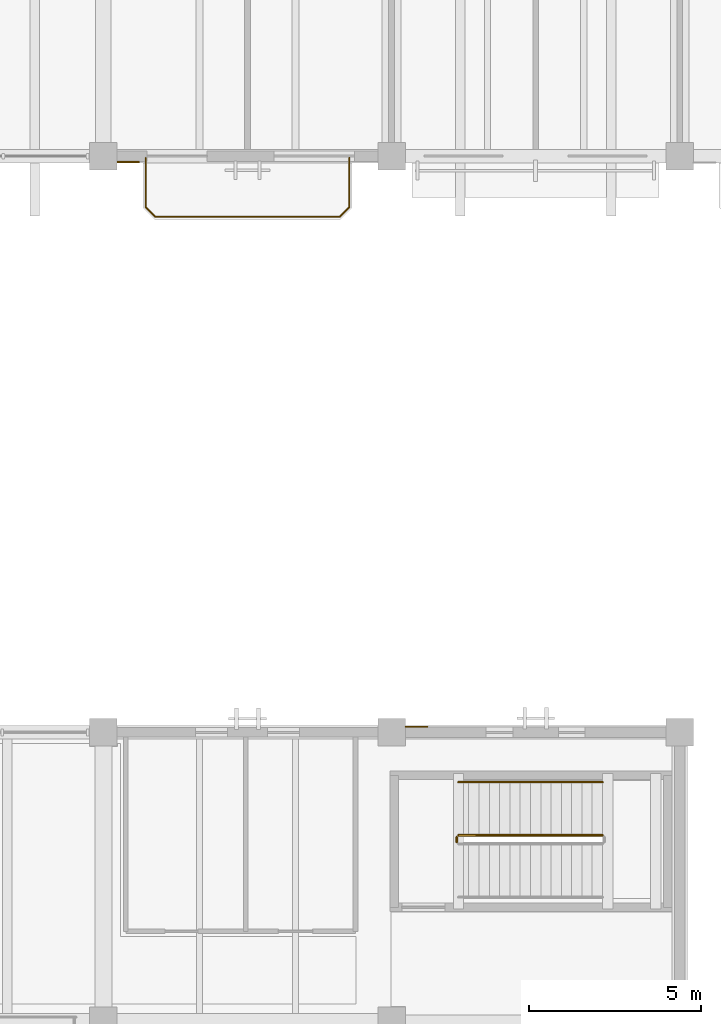
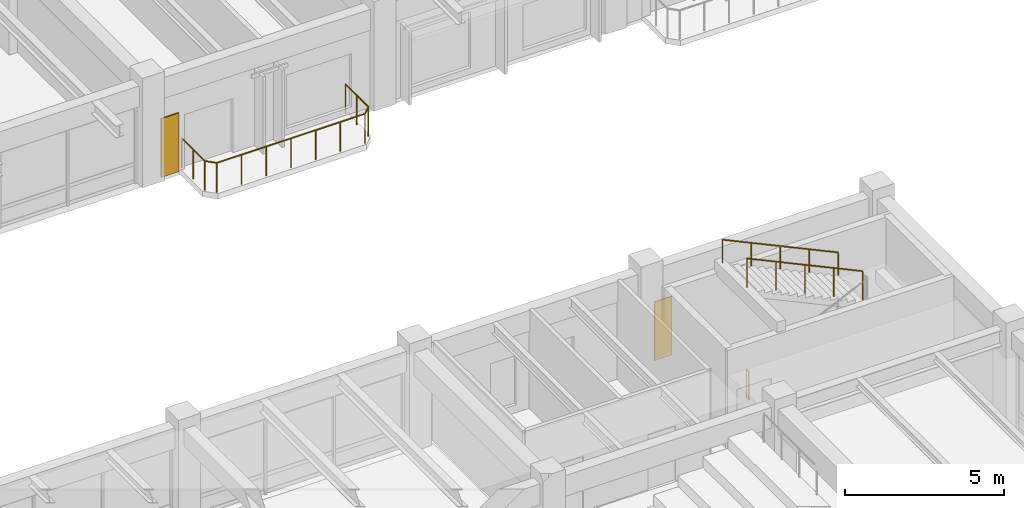
# One storey, part 114 of 132: 4 railings, 2 coverings.
"""IFC4 building model written with IfcOpenShell, lengths in metres."""

from ifc_helpers import new_model, si_unit, direction, frame, origin, origin_2d, place, context, subcontext, project, spatial, polyline, circle, outline, extrude, material, layer, layer_set, type_object, element, save


model = new_model("IFC4")

# Units and contexts
model_context = context("Model", 3, precision=1e-05, world=origin(), true_north=direction((0.0, 1.0)))
body_context = subcontext(model_context, "Body", "Model", "MODEL_VIEW")
ifc_project = project(units=[si_unit("LENGTHUNIT", "METRE"), si_unit("AREAUNIT", "SQUARE_METRE"), si_unit("VOLUMEUNIT", "CUBIC_METRE"), si_unit("PLANEANGLEUNIT", "RADIAN"), si_unit("MASSUNIT", "GRAM", prefix="KILO")], contexts=[model_context])

# Site, building, storey
site_placement = place(None, origin())
site = spatial("IfcSite", under=ifc_project, at=site_placement, CompositionType="ELEMENT")
building_placement = place(site_placement, origin())
building = spatial("IfcBuilding", under=site, at=building_placement, Name="Cumbredor Promenade Congress Hotel", CompositionType="ELEMENT")
storey_placement = place(building_placement, frame((0.0, 0.0, 7.56005859375)))
storey = spatial("IfcBuildingStorey", under=building, at=storey_placement, Name="L02", CompositionType="ELEMENT", Elevation=7.56005859375)

# Covering
ifc_material_1 = material(Name="Precast concrete C40/50", Category="concrete")
ifc_layer_1 = layer(ifc_material_1, 0.044921875, Name="Precast concrete C40/50", Category="concrete")
ifc_layer_set_1 = layer_set([ifc_layer_1], Name="Precast concrete C40/50")
covering_type_1 = type_object("IfcCoveringType", Name="Board-Formed Architectural Cladding Panel 45mm", PredefinedType="CLADDING", material=ifc_layer_set_1)
covering_1_placement = place(storey_placement, origin())
element("IfcCovering", 1, at=covering_1_placement, inside=storey, type_object=covering_type_1, Name="L02 Facade Stone Cladding Pier 122", PredefinedType="CLADDING", context=body_context, shape_type="SweptSolid", body=[
    extrude(outline(polyline([(50.801025390625, 83.85009765625), (51.450927734375, 83.85009765625), (51.450927734375, 83.804931640625), (50.801025390625, 83.804931640625), (50.801025390625, 83.85009765625)])), origin(), (0.0, 0.0, 1.0), 2.25),
])

# Railings
ifc_material_2 = material(Name="Brushed stainless steel", Category="steel")
railing_type_1 = type_object("IfcRailingType", Name="Interior Void & Stair Guardrail GR-1100", PredefinedType="GUARDRAIL", material=ifc_material_2)
railing_1_placement = place(storey_placement, frame((64.949951171875, 64.199951171875, 2.239990234375)))
element("IfcRailing", 2, at=railing_1_placement, inside=storey, type_object=railing_type_1, Name="L02 ST-07 stair guard 3", PredefinedType="GUARDRAIL", context=body_context, shape_type="SweptSolid", body=[
    extrude(circle(Radius=0.02392578125, at=origin_2d()), frame((0.0, 0.0, 1.09619140625), z_axis=(-0.906184485727, 0.0, 0.422882581609), x_axis=(0.0, -1.0, 0.0)), (0.0, 0.0, 1.0), 4.634765625),
    extrude(circle(Radius=0.02099609375, at=origin_2d()), origin(), (0.0, 0.0, 1.0), 1.072021484375),
    extrude(circle(Radius=0.02099609375, at=origin_2d()), frame((-1.050048828125, 0.0, 0.489990234375)), (0.0, 0.0, 1.0), 1.072021484375),
    extrude(circle(Radius=0.02099609375, at=origin_2d()), frame((-2.10009765625, 0.0, 0.97998046875)), (0.0, 0.0, 1.0), 1.072021484375),
    extrude(circle(Radius=0.02099609375, at=origin_2d()), frame((-3.14990234375, 0.0, 1.469970703125)), (0.0, 0.0, 1.0), 1.072021484375),
    extrude(circle(Radius=0.02099609375, at=origin_2d()), frame((-4.199951171875, 0.0, 1.9599609375)), (0.0, 0.0, 1.0), 1.072021484375),
])
railing_2_placement = place(storey_placement, frame((60.699951171875, 64.0, 0.0)))
element("IfcRailing", 3, at=railing_2_placement, inside=storey, type_object=railing_type_1, Name="L02 ST-07 stair guard 4", PredefinedType="GUARDRAIL", context=body_context, shape_type="SweptSolid", body=[
    extrude(circle(Radius=0.02392578125, at=origin_2d()), frame((0.0, 0.0, 1.09619140625), z_axis=(0.0, 1.0, 0.0), x_axis=(-1.0, 0.0, 0.0)), (0.0, 0.0, 1.0), 0.14990234375),
    extrude(circle(Radius=0.02099609375, at=origin_2d()), origin(), (0.0, 0.0, 1.0), 1.072021484375),
    extrude(circle(Radius=0.02099609375, at=origin_2d()), frame((0.0, 0.14990234375, 0.0)), (0.0, 0.0, 1.0), 1.072021484375),
])
railing_type_2 = type_object("IfcRailingType", Name="Sky Garden Glass-and-Steel Balustrade BAL-1150", PredefinedType="BALUSTRADE", material=ifc_material_2)
railing_3_placement = place(storey_placement, frame((51.6298828125, 83.949951171875, 0.0)))
element("IfcRailing", 4, at=railing_3_placement, inside=storey, type_object=railing_type_2, Name="L02 Veranda Balcony Balustrade 010", PredefinedType="BALUSTRADE", context=body_context, shape_type="SweptSolid", body=[
    extrude(circle(Radius=0.02392578125, at=origin_2d()), frame((0.0, 0.0, 1.1259765625), z_axis=(0.0, -1.0, 0.0), x_axis=(1.0, 0.0, 0.0)), (0.0, 0.0, 1.0), 1.43994140625),
    extrude(circle(Radius=0.02392578125, at=origin_2d()), frame((0.0, -1.43994140625, 1.1259765625), z_axis=(0.707106781187, -0.707106781187, 0.0), x_axis=(0.707106781187, 0.707106781187, 0.0)), (0.0, 0.0, 1.0), 0.39599609375),
    extrude(circle(Radius=0.02392578125, at=origin_2d()), frame((0.280029296875, -1.719970703125, 1.1259765625), z_axis=(1.0, 0.0, 0.0), x_axis=(0.0, 1.0, 0.0)), (0.0, 0.0, 1.0), 5.380126953125),
    extrude(circle(Radius=0.02392578125, at=origin_2d()), frame((5.66015625, -1.719970703125, 1.1259765625), z_axis=(0.707106781187, 0.707106781187, 0.0), x_axis=(-0.707106781187, 0.707106781187, 0.0)), (0.0, 0.0, 1.0), 0.39599609375),
    extrude(circle(Radius=0.02392578125, at=origin_2d()), frame((5.940185546875, -1.43994140625, 1.1259765625), z_axis=(0.0, 1.0, 0.0), x_axis=(-1.0, 0.0, 0.0)), (0.0, 0.0, 1.0), 1.43994140625),
    extrude(circle(Radius=0.02099609375, at=origin_2d()), origin(), (0.0, 0.0, 1.0), 1.101806640625),
    extrude(circle(Radius=0.02099609375, at=origin_2d()), frame((0.0, -0.719970703125, 0.0)), (0.0, 0.0, 1.0), 1.101806640625),
    extrude(circle(Radius=0.02099609375, at=origin_2d()), frame((0.0, -1.43994140625, 0.0)), (0.0, 0.0, 1.0), 1.101806640625),
    extrude(circle(Radius=0.02099609375, at=origin_2d()), frame((0.280029296875, -1.719970703125, 0.0)), (0.0, 0.0, 1.0), 1.101806640625),
    extrude(circle(Radius=0.02099609375, at=origin_2d()), frame((1.1767578125, -1.719970703125, 0.0)), (0.0, 0.0, 1.0), 1.101806640625),
    extrude(circle(Radius=0.02099609375, at=origin_2d()), frame((2.073486328125, -1.719970703125, 0.0)), (0.0, 0.0, 1.0), 1.101806640625),
    extrude(circle(Radius=0.02099609375, at=origin_2d()), frame((2.97021484375, -1.719970703125, 0.0)), (0.0, 0.0, 1.0), 1.101806640625),
    extrude(circle(Radius=0.02099609375, at=origin_2d()), frame((3.86669921875, -1.719970703125, 0.0)), (0.0, 0.0, 1.0), 1.101806640625),
    extrude(circle(Radius=0.02099609375, at=origin_2d()), frame((4.763427734375, -1.719970703125, 0.0)), (0.0, 0.0, 1.0), 1.101806640625),
    extrude(circle(Radius=0.02099609375, at=origin_2d()), frame((5.66015625, -1.719970703125, 0.0)), (0.0, 0.0, 1.0), 1.101806640625),
    extrude(circle(Radius=0.02099609375, at=origin_2d()), frame((5.940185546875, -1.43994140625, 0.0)), (0.0, 0.0, 1.0), 1.101806640625),
    extrude(circle(Radius=0.02099609375, at=origin_2d()), frame((5.940185546875, -0.719970703125, 0.0)), (0.0, 0.0, 1.0), 1.101806640625),
    extrude(circle(Radius=0.02099609375, at=origin_2d()), frame((5.940185546875, 0.0, 0.0)), (0.0, 0.0, 1.0), 1.101806640625),
])
railing_type_3 = type_object("IfcRailingType", Name="Stair Pitch Handrail HR-900", PredefinedType="HANDRAIL", material=ifc_material_2)
railing_4_placement = place(storey_placement, frame((64.949951171875, 65.75, 2.239990234375)))
element("IfcRailing", 5, at=railing_4_placement, inside=storey, type_object=railing_type_3, Name="L02 ST-07 stair handrail 2", PredefinedType="HANDRAIL", context=body_context, shape_type="SweptSolid", body=[
    extrude(circle(Radius=0.02392578125, at=origin_2d()), frame((0.0, 0.0, 0.8759765625), z_axis=(-0.906184485727, 0.0, 0.422882581609), x_axis=(0.0, -1.0, 0.0)), (0.0, 0.0, 1.0), 4.634765625),
    extrude(circle(Radius=0.02099609375, at=origin_2d()), origin(), (0.0, 0.0, 1.0), 0.851806640625),
    extrude(circle(Radius=0.02099609375, at=origin_2d()), frame((-1.050048828125, 0.0, 0.489990234375)), (0.0, 0.0, 1.0), 0.851806640625),
    extrude(circle(Radius=0.02099609375, at=origin_2d()), frame((-2.10009765625, 0.0, 0.97998046875)), (0.0, 0.0, 1.0), 0.851806640625),
    extrude(circle(Radius=0.02099609375, at=origin_2d()), frame((-3.14990234375, 0.0, 1.469970703125)), (0.0, 0.0, 1.0), 0.851806640625),
    extrude(circle(Radius=0.02099609375, at=origin_2d()), frame((-4.199951171875, 0.0, 1.9599609375)), (0.0, 0.0, 1.0), 0.851806640625),
])

# Covering
ifc_material_3 = material(Name="Volcanic andesite ashlar cladding", Category="masonry")
ifc_layer_2 = layer(ifc_material_3, 0.034912109375, Name="Volcanic andesite ashlar cladding", Category="masonry")
ifc_layer_set_2 = layer_set([ifc_layer_2], Name="Volcanic andesite ashlar cladding")
covering_type_2 = type_object("IfcCoveringType", Name="Volcanic Andesite Ashlar Rainscreen Cladding 35mm", PredefinedType="CLADDING", material=ifc_layer_set_2)
covering_2_placement = place(storey_placement, origin())
element("IfcCovering", 6, at=covering_2_placement, inside=storey, type_object=covering_type_2, Name="L02 Facade Stone Cladding Pier 097", PredefinedType="CLADDING", context=body_context, shape_type="SweptSolid", body=[
    extrude(outline(polyline([(59.200927734375, 67.35009765625), (59.85107421875, 67.35009765625), (59.85107421875, 67.385009765625), (59.200927734375, 67.385009765625), (59.200927734375, 67.35009765625)])), origin(), (0.0, 0.0, 1.0), 2.25),
])

save(model, "model.ifc")
